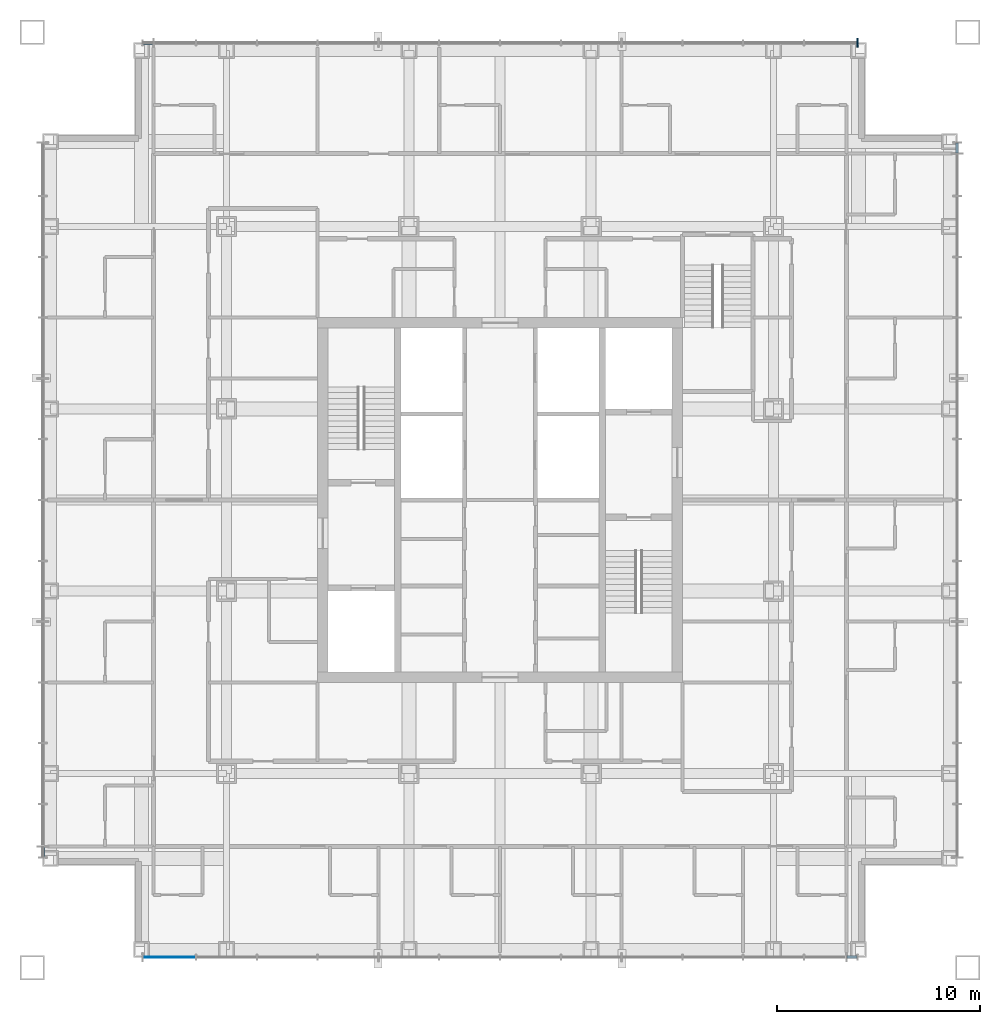
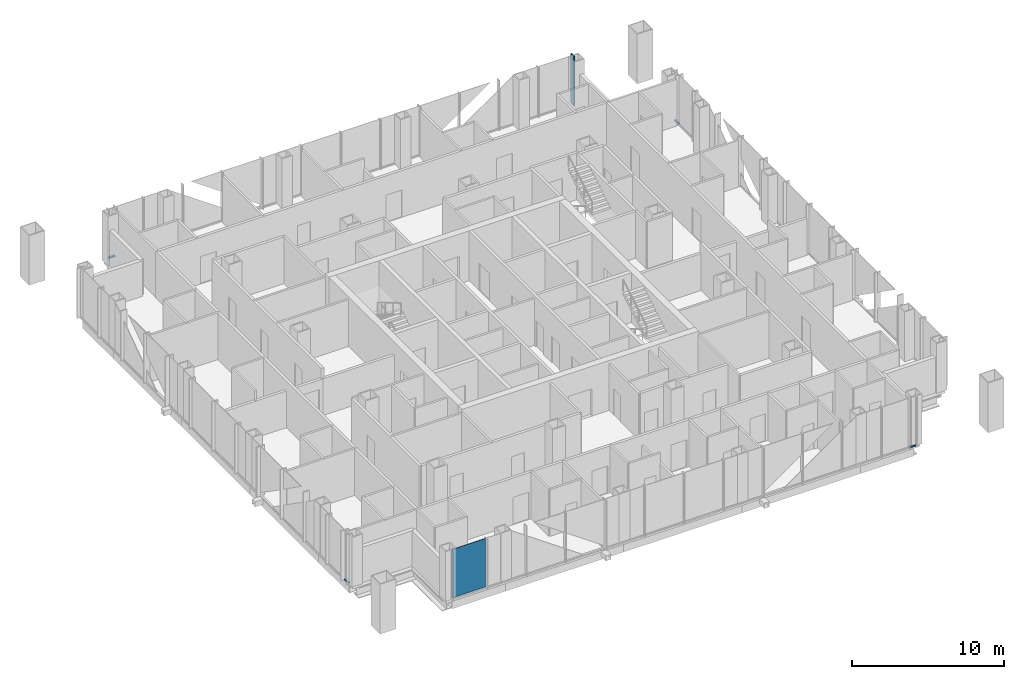
# One storey, part 5 of 16: 5 members, 1 plate, 4 elements without a shape of their own.
"""IFC4 building model written with IfcOpenShell, lengths in metres."""

import ifcopenshell
import ifcopenshell.guid

model = None  # the IFC model being written
_history = None  # IfcOwnerHistory: only IFC2X3 demands one
_inside = {}  # id of a spatial element -> (the spatial element, [elements in it])
_under = {}  # id of a project, library or spatial element -> (it, [spatial elements below it])
_declared = {}  # id of a project -> (the project, [libraries it declares])
_typed = {}  # id of a type object -> (the type object, [elements of that type])
_made_of = {}  # id of a material, layer set ... -> (it, [elements and type objects made of it])


def new_model(schema):
    """Start an empty IFC model of exactly this schema.

    Asked for "IFC4X3", IfcOpenShell would pick the latest addendum, in which some entities
    have other attributes; the version numbers below select the first issue.
    IFC2X3 requires an IfcOwnerHistory on every rooted entity: one is made here for all.
    """
    global model, _history
    if schema == "IFC4X3":
        model = ifcopenshell.file(schema_version=(4, 3, 0, 0))
    else:
        model = ifcopenshell.file(schema=schema)
    _inside.clear()
    _under.clear()
    _declared.clear()
    _typed.clear()
    _made_of.clear()
    _history = None
    if model.schema == "IFC2X3":
        org = make("IfcOrganization", Name="unknown")
        user = make(
            "IfcPersonAndOrganization",
            ThePerson=make("IfcPerson", FamilyName="unknown"),
            TheOrganization=org,
        )
        app = make(
            "IfcApplication",
            ApplicationDeveloper=org,
            Version="unknown",
            ApplicationFullName="unknown",
            ApplicationIdentifier="unknown",
        )
        _history = make(
            "IfcOwnerHistory",
            OwningUser=user,
            OwningApplication=app,
            ChangeAction="ADDED",
            CreationDate=0,
        )
    return model


def make(cls, **values):
    """One entity of the class cls with the attributes given. An attribute that is None is left unset."""
    return model.create_entity(
        cls, **{name: value for name, value in values.items() if value is not None}
    )


def rooted(cls, **values):
    """An entity with a GlobalId (a new one), such as an element, a storey or a relation."""
    return make(cls, GlobalId=ifcopenshell.guid.new(), OwnerHistory=_history, **values)


def si_unit(unit_type, name, prefix=None):
    """IfcSIUnit, for example si_unit("LENGTHUNIT", "METRE", prefix="MILLI")."""
    return make("IfcSIUnit", UnitType=unit_type, Prefix=prefix, Name=name)


def assignment(units):
    """IfcUnitAssignment: the units of a project."""
    return None if units is None else make("IfcUnitAssignment", Units=units)


def point(xyz):
    """IfcCartesianPoint."""
    return None if xyz is None else make("IfcCartesianPoint", Coordinates=xyz)


def direction(xyz):
    """IfcDirection."""
    return None if xyz is None else make("IfcDirection", DirectionRatios=xyz)


def frame(location, z_axis=None, x_axis=None):
    """IfcAxis2Placement3D, a coordinate frame: its origin and axes. An axis left out is left unset."""
    return make(
        "IfcAxis2Placement3D",
        Location=point(location),
        Axis=direction(z_axis),
        RefDirection=direction(x_axis),
    )


def frame_2d(location, x_axis=None):
    """IfcAxis2Placement2D, a coordinate frame in the plane: its origin and x axis."""
    return make(
        "IfcAxis2Placement2D", Location=point(location), RefDirection=direction(x_axis)
    )


def origin():
    """The frame at (0, 0, 0) with its axes left unset."""
    return frame((0.0, 0.0, 0.0))


def origin_2d():
    """The frame at (0, 0) in the plane with its x axis left unset."""
    return frame_2d((0.0, 0.0))


def place(relative_to, where):
    """IfcLocalPlacement: puts the frame where relative to a parent placement (None: the world)."""
    return make(
        "IfcLocalPlacement", PlacementRelTo=relative_to, RelativePlacement=where
    )


def context(
    kind, dimensions, precision=None, world=None, true_north=None, identifier=None
):
    """IfcGeometricRepresentationContext, for example the 3D "Model" context."""
    return make(
        "IfcGeometricRepresentationContext",
        ContextIdentifier=identifier,
        ContextType=kind,
        CoordinateSpaceDimension=dimensions,
        Precision=precision,
        WorldCoordinateSystem=world,
        TrueNorth=true_north,
    )


def subcontext(parent, identifier, kind, view, scale=None):
    """IfcGeometricRepresentationSubContext, for example "Body" below "Model"."""
    return make(
        "IfcGeometricRepresentationSubContext",
        ContextIdentifier=identifier,
        ContextType=kind,
        ParentContext=parent,
        TargetScale=scale,
        TargetView=view,
    )


def project(units=None, contexts=None):
    """IfcProject with its units and contexts."""
    return rooted(
        "IfcProject",
        Name="project",
        RepresentationContexts=contexts,
        UnitsInContext=assignment(units),
    )


def spatial(cls, under=None, at=None, **own):
    """A site, building, storey or space (cls), placed at a placement, below another one or the project."""
    s = rooted(cls, ObjectPlacement=at, **own)
    if under is not None:
        _under.setdefault(under.id(), (under, []))[1].append(s)
    return s


def profile(cls, at=None, kind="AREA", **sizes):
    """A parametric profile (cls). Its sizes go by their IFC names, for example OverallWidth=200.0."""
    return make(cls, ProfileType=kind, Position=at, **sizes)


def rectangle(**sizes):
    """IfcRectangleProfileDef."""
    return profile("IfcRectangleProfileDef", **sizes)


def extrude(swept, where, along, depth):
    """IfcExtrudedAreaSolid: the profile swept, set in the frame where, extruded along a direction by depth."""
    return make(
        "IfcExtrudedAreaSolid",
        SweptArea=swept,
        Position=where,
        ExtrudedDirection=direction(along),
        Depth=depth,
    )


def shape(context_of_items, identifier, shape_type, items):
    """IfcShapeRepresentation: the items that make up one representation, for example the "Body"."""
    return make(
        "IfcShapeRepresentation",
        ContextOfItems=context_of_items,
        RepresentationIdentifier=identifier,
        RepresentationType=shape_type,
        Items=items,
    )


def material(Name=None, Category=None):
    """IfcMaterial."""
    return make("IfcMaterial", Name=Name, Category=Category)


def layer(
    of_material, thickness, ventilated=None, Name=None, Category=None, Priority=None
):
    """IfcMaterialLayer: one layer of a wall or slab, of a material (None: an air gap)."""
    return make(
        "IfcMaterialLayer",
        Material=of_material,
        LayerThickness=thickness,
        IsVentilated=ventilated,
        Name=Name,
        Category=Category,
        Priority=Priority,
    )


def layer_set(layers, Name=None):
    """IfcMaterialLayerSet."""
    return make("IfcMaterialLayerSet", MaterialLayers=layers, LayerSetName=Name)


def material_profile(
    of_material, cross_section, Name=None, Category=None, Priority=None
):
    """IfcMaterialProfile: a cross section and its material."""
    return make(
        "IfcMaterialProfile",
        Name=Name,
        Material=of_material,
        Profile=cross_section,
        Priority=Priority,
        Category=Category,
    )


def profile_set(profiles, Name=None, composite=None):
    """IfcMaterialProfileSet."""
    return make(
        "IfcMaterialProfileSet",
        Name=Name,
        MaterialProfiles=profiles,
        CompositeProfile=composite,
    )


def made_of(thing, what):
    """Note that an element or type object is made of a material, layer set ...; save() writes the relation."""
    if what is not None:
        _made_of.setdefault(what.id(), (what, []))[1].append(thing)
    return thing


def type_object(cls, material=None, **own):
    """A type object (cls), such as IfcWallType, which elements share."""
    return made_of(rooted(cls, **own), material)


def element(
    cls,
    number,
    at=None,
    inside=None,
    cuts=None,
    type_object=None,
    material=None,
    context=None,
    identifier="Body",
    shape_type=None,
    held_by="IfcProductDefinitionShape",
    body=None,
    shapes=None,
    **own,
):
    """One element of the class cls, such as IfcWall. Its Tag is "e" and its number.

    at: its placement. inside: the storey or other place that contains it. cuts: it is an
    opening in that element (IfcRelVoidsElement). A single representation is given by context,
    identifier, shape_type and body (its items); several are given by shapes. held_by: the class
    of the entity that holds the representations. save() writes the other relations.
    """
    e = rooted(cls, Tag="e%d" % number, ObjectPlacement=at, **own)
    if body is not None:
        shapes = [shape(context, identifier, shape_type, body)]
    if shapes is not None:
        e.Representation = make(held_by, Representations=shapes)
    if inside is not None:
        _inside.setdefault(inside.id(), (inside, []))[1].append(e)
    if cuts is not None:
        rooted(
            "IfcRelVoidsElement", RelatingBuildingElement=cuts, RelatedOpeningElement=e
        )
    if type_object is not None:
        _typed.setdefault(type_object.id(), (type_object, []))[1].append(e)
    return made_of(e, material)


def aggregate(whole, parts):
    """IfcRelAggregates: a whole, such as a stair, and the parts it consists of."""
    return rooted("IfcRelAggregates", RelatingObject=whole, RelatedObjects=parts)


def save(model, path):
    """Write the relations noted so far, then the file.

    IfcRelAggregates (storeys below a building ...), IfcRelContainedInSpatialStructure (elements
    in a storey), IfcRelDefinesByType, IfcRelAssociatesMaterial and IfcRelDeclares: one each for
    every whole, place, type object, material and project.
    """
    for whole, parts in _under.values():
        aggregate(whole, parts)
    for where, things in _inside.values():
        rooted(
            "IfcRelContainedInSpatialStructure",
            RelatedElements=things,
            RelatingStructure=where,
        )
    for kind, things in _typed.values():
        rooted("IfcRelDefinesByType", RelatedObjects=things, RelatingType=kind)
    for what, things in _made_of.values():
        rooted("IfcRelAssociatesMaterial", RelatedObjects=things, RelatingMaterial=what)
    for by, libraries in _declared.values():
        rooted("IfcRelDeclares", RelatingContext=by, RelatedDefinitions=libraries)
    model.write(path)


model = new_model("IFC4")

# Units and contexts
model_context = context("Model", 3, precision=1e-05, world=origin(), true_north=direction((0.0, 1.0)))
body_context = subcontext(model_context, "Body", "Model", "MODEL_VIEW")
ifc_project = project(units=[si_unit("LENGTHUNIT", "METRE"), si_unit("AREAUNIT", "SQUARE_METRE"), si_unit("VOLUMEUNIT", "CUBIC_METRE"), si_unit("PLANEANGLEUNIT", "RADIAN"), si_unit("MASSUNIT", "GRAM", prefix="KILO")], contexts=[model_context])

# Site, building, storey
site_placement = place(None, origin())
site = spatial("IfcSite", under=ifc_project, at=site_placement, CompositionType="ELEMENT")
building_placement = place(site_placement, origin())
building = spatial("IfcBuilding", under=site, at=building_placement, Name="Malebo Sky Hospital", CompositionType="ELEMENT")
storey_placement = place(building_placement, frame((0.0, 0.0, 197.0)))
storey = spatial("IfcBuildingStorey", under=building, at=storey_placement, Name="L47", CompositionType="ELEMENT", Elevation=197.0)

# Curtain wall, member
ifc_material_1 = material(Name="Anodised aluminium, natural silver", Category="aluminium")
ifc_layer_1 = layer(ifc_material_1, 0.25)
ifc_layer_set_1 = layer_set([ifc_layer_1], Name="WARD CURTAIN WALL NORTH AND SOUTH")
curtain_wall_type_1 = type_object("IfcCurtainWallType", Name="WARD CURTAIN WALL NORTH AND SOUTH", PredefinedType="NOTDEFINED", material=ifc_layer_set_1)
curtain_wall_1_placement = place(storey_placement, origin())
curtain_wall_1 = element("IfcCurtainWall", 1, at=curtain_wall_1_placement, inside=storey, type_object=curtain_wall_type_1, Name="NS curtain wall N", PredefinedType="NOTDEFINED")
ifc_material_profile_1 = material_profile(ifc_material_1, rectangle(XDim=0.14990234375, YDim=0.10009765625, at=origin_2d()), Name="ALUMINIUM TRANSOM 150x100")
ifc_profile_set_1 = profile_set([ifc_material_profile_1], Name="Anodised aluminium, natural silver")
member_type_1 = type_object("IfcMemberType", Name="ALUMINIUM TRANSOM 150x100", PredefinedType="USERDEFINED", material=ifc_profile_set_1)
member_1_placement = place(storey_placement, frame((42.375, 84.574951171875, 0.050048828125), z_axis=(1.0, 0.0, 0.0), x_axis=(0.0, 1.0, 0.0)))
member_1 = element("IfcMember", 2, at=member_1_placement, type_object=member_type_1, Name="Transom 1", ObjectType="TRANSOM", PredefinedType="USERDEFINED", context=body_context, shape_type="SweptSolid", body=[
    extrude(rectangle(XDim=0.14990234375, YDim=0.10009765625, at=origin_2d()), origin(), (0.0, 0.0, 1.0), 0.487548828125),
])

ifc_layer_2 = layer(ifc_material_1, 0.25)
ifc_layer_set_2 = layer_set([ifc_layer_2], Name="WARD CURTAIN WALL EAST AND WEST")
curtain_wall_type_2 = type_object("IfcCurtainWallType", Name="WARD CURTAIN WALL EAST AND WEST", PredefinedType="NOTDEFINED", material=ifc_layer_set_2)
curtain_wall_2_placement = place(storey_placement, origin())
curtain_wall_2 = element("IfcCurtainWall", 3, at=curtain_wall_2_placement, inside=storey, type_object=curtain_wall_type_2, Name="EW curtain wall W", PredefinedType="NOTDEFINED")
member_2_placement = place(storey_placement, frame((37.425048828125, 44.375, 0.050048828125), z_axis=(0.0, 1.0, 0.0), x_axis=(-1.0, 0.0, 0.0)))
member_2 = element("IfcMember", 4, at=member_2_placement, type_object=member_type_1, Name="Transom 1", ObjectType="TRANSOM", PredefinedType="USERDEFINED", context=body_context, shape_type="SweptSolid", body=[
    extrude(rectangle(XDim=0.14990234375, YDim=0.10009765625, at=origin_2d()), origin(), (0.0, 0.0, 1.0), 0.487548828125),
])
aggregate(curtain_wall_2, [member_2])

curtain_wall_3_placement = place(storey_placement, origin())
curtain_wall_3 = element("IfcCurtainWall", 5, at=curtain_wall_3_placement, inside=storey, type_object=curtain_wall_type_1, Name="NS curtain wall S", PredefinedType="NOTDEFINED")
member_3_placement = place(storey_placement, frame((77.625, 39.425048828125, 0.050048828125), z_axis=(-1.0, 0.0, 0.0), x_axis=(0.0, -1.0, 0.0)))
member_3 = element("IfcMember", 6, at=member_3_placement, type_object=member_type_1, Name="Transom 1", ObjectType="TRANSOM", PredefinedType="USERDEFINED", context=body_context, shape_type="SweptSolid", body=[
    extrude(rectangle(XDim=0.14990234375, YDim=0.10009765625, at=origin_2d()), origin(), (0.0, 0.0, 1.0), 0.487548828125),
])

curtain_wall_4_placement = place(storey_placement, origin())
curtain_wall_4 = element("IfcCurtainWall", 7, at=curtain_wall_4_placement, inside=storey, type_object=curtain_wall_type_2, Name="EW curtain wall E", PredefinedType="NOTDEFINED")
member_4_placement = place(storey_placement, frame((82.574951171875, 79.625, 0.050048828125), z_axis=(0.0, -1.0, 0.0), x_axis=(1.0, 0.0, 0.0)))
member_4 = element("IfcMember", 8, at=member_4_placement, type_object=member_type_1, Name="Transom 1", ObjectType="TRANSOM", PredefinedType="USERDEFINED", context=body_context, shape_type="SweptSolid", body=[
    extrude(rectangle(XDim=0.14990234375, YDim=0.10009765625, at=origin_2d()), origin(), (0.0, 0.0, 1.0), 0.487548828125),
])
aggregate(curtain_wall_4, [member_4])

# Member
ifc_material_profile_2 = material_profile(ifc_material_1, rectangle(XDim=0.074951171875, YDim=0.449951171875, at=origin_2d()), Name="CW1 ALUMINIUM FIN MULLION 75x450")
ifc_profile_set_2 = profile_set([ifc_material_profile_2], Name="Anodised aluminium, natural silver")
member_type_2 = type_object("IfcMemberType", Name="CW1 ALUMINIUM FIN MULLION 75x450", PredefinedType="MULLION", material=ifc_profile_set_2)
member_5_placement = place(storey_placement, frame((77.66259765625, 84.574951171875, 0.0), z_axis=(0.0, 0.0, 1.0), x_axis=(1.0, 0.0, 0.0)))
member_5 = element("IfcMember", 9, at=member_5_placement, type_object=member_type_2, Name="Fin mullion 14", PredefinedType="MULLION", context=body_context, shape_type="SweptSolid", body=[
    extrude(rectangle(XDim=0.074951171875, YDim=0.449951171875, at=origin_2d()), origin(), (0.0, 0.0, 1.0), 4.0),
])

aggregate(curtain_wall_1, [member_5, member_1])

# Plate
ifc_material_2 = material(Name="Clear low-iron double glazing", Category="glass")
ifc_layer_3 = layer(ifc_material_2, 0.031982421875)
ifc_layer_set_3 = layer_set([ifc_layer_3], Name="VISION PANEL CLEAR 32")
plate_type = type_object("IfcPlateType", Name="VISION PANEL CLEAR 32", PredefinedType="CURTAIN_PANEL", material=ifc_layer_set_3)
plate_placement = place(storey_placement, frame((43.668701171875, 39.425048828125, 0.10009765625), z_axis=(0.0, 0.0, 1.0), x_axis=(-1.0, 0.0, 0.0)))
plate = element("IfcPlate", 10, at=plate_placement, type_object=plate_type, Name="Panel 13", PredefinedType="CURTAIN_PANEL", context=body_context, shape_type="SweptSolid", body=[
    extrude(rectangle(XDim=2.58740234375, YDim=0.031982421875, at=origin_2d()), origin(), (0.0, 0.0, 1.0), 3.889892578125),
])

aggregate(curtain_wall_3, [member_3, plate])

save(model, "model.ifc")
